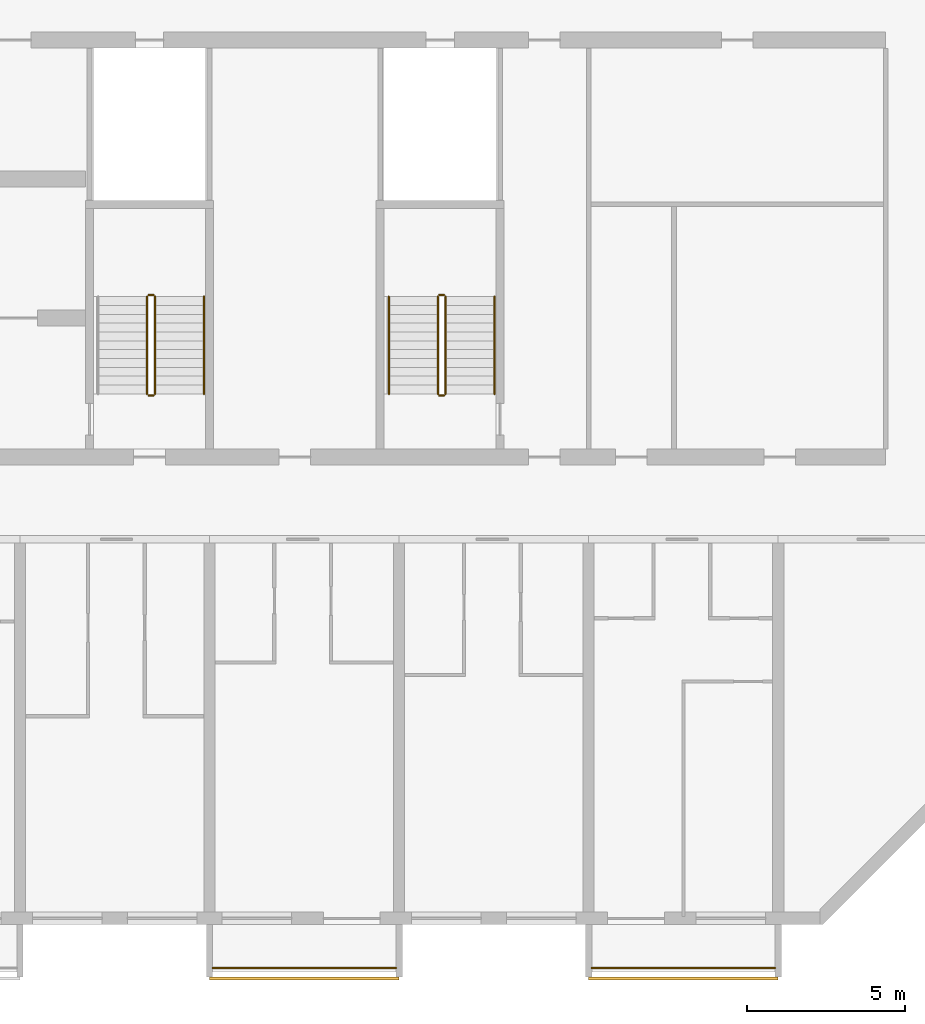
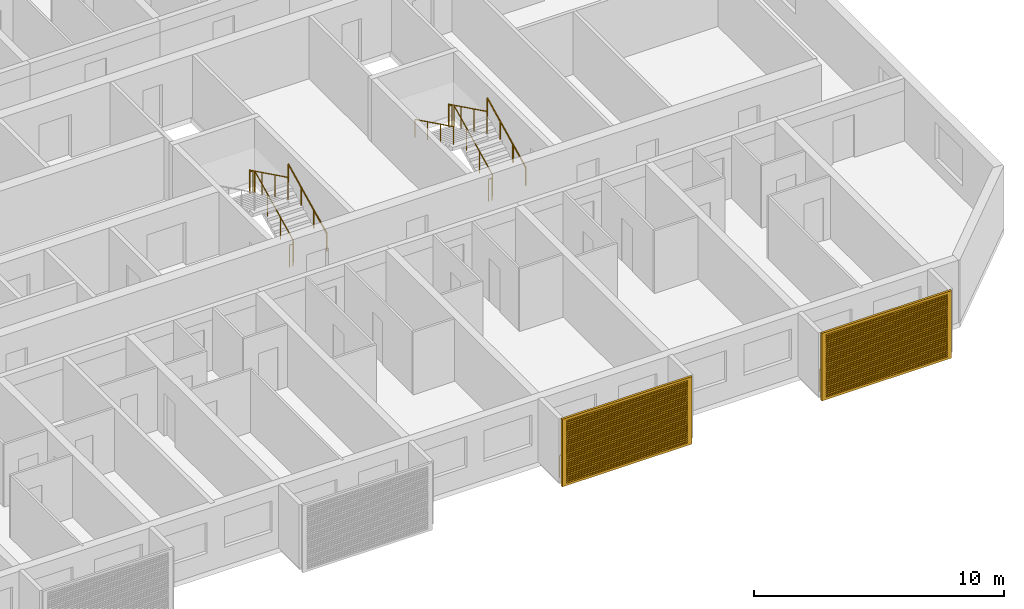
# One storey, part 24 of 26: 13 railings, 2 shading devices.
"""IFC4 building model written with IfcOpenShell, lengths in metres."""

from ifc_helpers import new_model, si_unit, direction, frame, origin, origin_2d, place, context, subcontext, project, spatial, polyline, circle, outline, extrude, source, transform, mapped, material, material_profile, profile_set, type_object, element, save


model = new_model("IFC4")

# Units and contexts
model_context = context("Model", 3, precision=1e-05, world=origin(), true_north=direction((0.0, 1.0)))
body_context = subcontext(model_context, "Body", "Model", "MODEL_VIEW")
ifc_project = project(units=[si_unit("LENGTHUNIT", "METRE"), si_unit("AREAUNIT", "SQUARE_METRE"), si_unit("VOLUMEUNIT", "CUBIC_METRE"), si_unit("PLANEANGLEUNIT", "RADIAN"), si_unit("MASSUNIT", "GRAM", prefix="KILO")], contexts=[model_context])

# Site, building, storey
site_placement = place(None, origin())
site = spatial("IfcSite", under=ifc_project, at=site_placement, CompositionType="ELEMENT")
building_placement = place(site_placement, origin())
building = spatial("IfcBuilding", under=site, at=building_placement, Name="Poui Terraces", CompositionType="ELEMENT")
storey_placement = place(building_placement, frame((0.0, 0.0, 96.0)))
storey = spatial("IfcBuildingStorey", under=building, at=storey_placement, Name="L26", CompositionType="ELEMENT", Elevation=96.0)

# Railings
ifc_material_1 = material(Name="Painted steel fretwork", Category="steel")
railing_type_1 = type_object("IfcRailingType", Name="BALCONY GUARD 1100", PredefinedType="GUARDRAIL", material=ifc_material_1)
for number, where, name in (
    (1, (72.10009765625, -1.570068359375, 0.0), "BALCONY GUARD"),
    (2, (84.10009765625, -1.570068359375, 0.0), "BALCONY GUARD"),
):
    element("IfcRailing", number, at=place(storey_placement, frame(where)), inside=storey, type_object=railing_type_1, Name=name, PredefinedType="GUARDRAIL", context=body_context, shape_type="SweptSolid", body=[
        extrude(circle(Radius=0.02392578125, at=origin_2d()), frame((0.0, 0.0, 1.076171875), z_axis=(1.0, 0.0, 0.0), x_axis=(0.0, 1.0, 0.0)), (0.0, 0.0, 1.0), 5.7998046875),
        extrude(circle(Radius=0.02099609375, at=origin_2d()), origin(), (0.0, 0.0, 1.0), 1.052001953125),
        extrude(circle(Radius=0.02099609375, at=origin_2d()), frame((0.966552734375, 0.0, 0.0)), (0.0, 0.0, 1.0), 1.052001953125),
        extrude(circle(Radius=0.02099609375, at=origin_2d()), frame((1.933349609375, 0.0, 0.0)), (0.0, 0.0, 1.0), 1.052001953125),
        extrude(circle(Radius=0.02099609375, at=origin_2d()), frame((2.89990234375, 0.0, 0.0)), (0.0, 0.0, 1.0), 1.052001953125),
        extrude(circle(Radius=0.02099609375, at=origin_2d()), frame((3.866455078125, 0.0, 0.0)), (0.0, 0.0, 1.0), 1.052001953125),
        extrude(circle(Radius=0.02099609375, at=origin_2d()), frame((4.833251953125, 0.0, 0.0)), (0.0, 0.0, 1.0), 1.052001953125),
        extrude(circle(Radius=0.02099609375, at=origin_2d()), frame((5.7998046875, 0.0, 0.0)), (0.0, 0.0, 1.0), 1.052001953125),
    ])
ifc_material_2 = material(Name="Galvanised steel balustrade", Category="steel")
railing_type_2 = type_object("IfcRailingType", Name="STAIR GUARD 1100", PredefinedType="GUARDRAIL", material=ifc_material_2)
railing_1_placement = place(storey_placement, frame((70.27490234375, 16.60009765625, 0.137451171875)))
element("IfcRailing", 3, at=railing_1_placement, inside=storey, type_object=railing_type_2, Name="L26 ST-CE stair guard 1", PredefinedType="GUARDRAIL", context=body_context, shape_type="SweptSolid", body=[
    extrude(circle(Radius=0.02392578125, at=origin_2d()), frame((0.0, 0.0, 1.076171875), z_axis=(0.0, 0.897606190399, 0.440798283751), x_axis=(-1.0, 0.0, 0.0)), (0.0, 0.0, 1.0), 3.43115234375),
    extrude(circle(Radius=0.02099609375, at=origin_2d()), origin(), (0.0, 0.0, 1.0), 1.052001953125),
    extrude(circle(Radius=0.02099609375, at=origin_2d()), frame((0.0, 1.026611328125, 0.504150390625)), (0.0, 0.0, 1.0), 1.052001953125),
    extrude(circle(Radius=0.02099609375, at=origin_2d()), frame((0.0, 2.05322265625, 1.00830078125)), (0.0, 0.0, 1.0), 1.052001953125),
    extrude(circle(Radius=0.02099609375, at=origin_2d()), frame((0.0, 3.079833984375, 1.512451171875)), (0.0, 0.0, 1.0), 1.052001953125),
])
railing_2_placement = place(storey_placement, frame((70.22509765625, 19.72998046875, 1.64990234375)))
element("IfcRailing", 4, at=railing_2_placement, inside=storey, type_object=railing_type_2, Name="L26 ST-CE stair guard 2", PredefinedType="GUARDRAIL", context=body_context, shape_type="SweptSolid", body=[
    extrude(circle(Radius=0.02392578125, at=origin_2d()), frame((0.0, 0.0, 1.076171875), z_axis=(-1.0, 0.0, 0.0), x_axis=(0.0, -1.0, 0.0)), (0.0, 0.0, 1.0), 0.150146484375),
    extrude(circle(Radius=0.02099609375, at=origin_2d()), origin(), (0.0, 0.0, 1.0), 1.052001953125),
    extrude(circle(Radius=0.02099609375, at=origin_2d()), frame((-0.150146484375, 0.0, 0.0)), (0.0, 0.0, 1.0), 1.052001953125),
])
railing_3_placement = place(storey_placement, frame((70.02490234375, 19.679931640625, 1.78759765625)))
element("IfcRailing", 5, at=railing_3_placement, inside=storey, type_object=railing_type_2, Name="L26 ST-CE stair guard 3", PredefinedType="GUARDRAIL", context=body_context, shape_type="SweptSolid", body=[
    extrude(circle(Radius=0.02392578125, at=origin_2d()), frame((0.0, 0.0, 1.076171875), z_axis=(0.0, -0.897606190399, 0.440798283751), x_axis=(1.0, 0.0, 0.0)), (0.0, 0.0, 1.0), 3.43115234375),
    extrude(circle(Radius=0.02099609375, at=origin_2d()), origin(), (0.0, 0.0, 1.0), 1.052001953125),
    extrude(circle(Radius=0.02099609375, at=origin_2d()), frame((0.0, -1.026611328125, 0.504150390625)), (0.0, 0.0, 1.0), 1.052001953125),
    extrude(circle(Radius=0.02099609375, at=origin_2d()), frame((0.0, -2.05322265625, 1.00830078125)), (0.0, 0.0, 1.0), 1.052001953125),
    extrude(circle(Radius=0.02099609375, at=origin_2d()), frame((0.0, -3.079833984375, 1.512451171875)), (0.0, 0.0, 1.0), 1.052001953125),
])
railing_4_placement = place(storey_placement, frame((70.22509765625, 16.550048828125, 0.0)))
element("IfcRailing", 6, at=railing_4_placement, inside=storey, type_object=railing_type_2, Name="L26 ST-CE stair guard 4", PredefinedType="GUARDRAIL", context=body_context, shape_type="SweptSolid", body=[
    extrude(circle(Radius=0.02392578125, at=origin_2d()), frame((0.0, 0.0, 1.076171875), z_axis=(-1.0, 0.0, 0.0), x_axis=(0.0, -1.0, 0.0)), (0.0, 0.0, 1.0), 0.150146484375),
    extrude(circle(Radius=0.02099609375, at=origin_2d()), origin(), (0.0, 0.0, 1.0), 1.052001953125),
    extrude(circle(Radius=0.02099609375, at=origin_2d()), frame((-0.150146484375, 0.0, 0.0)), (0.0, 0.0, 1.0), 1.052001953125),
])
railing_5_placement = place(storey_placement, frame((79.47509765625, 16.60009765625, 0.137451171875)))
element("IfcRailing", 7, at=railing_5_placement, inside=storey, type_object=railing_type_2, Name="L26 ST-E stair guard 1", PredefinedType="GUARDRAIL", context=body_context, shape_type="SweptSolid", body=[
    extrude(circle(Radius=0.02392578125, at=origin_2d()), frame((0.0, 0.0, 1.076171875), z_axis=(0.0, 0.897606190399, 0.440798283751), x_axis=(-1.0, 0.0, 0.0)), (0.0, 0.0, 1.0), 3.43115234375),
    extrude(circle(Radius=0.02099609375, at=origin_2d()), origin(), (0.0, 0.0, 1.0), 1.052001953125),
    extrude(circle(Radius=0.02099609375, at=origin_2d()), frame((0.0, 1.026611328125, 0.504150390625)), (0.0, 0.0, 1.0), 1.052001953125),
    extrude(circle(Radius=0.02099609375, at=origin_2d()), frame((0.0, 2.05322265625, 1.00830078125)), (0.0, 0.0, 1.0), 1.052001953125),
    extrude(circle(Radius=0.02099609375, at=origin_2d()), frame((0.0, 3.079833984375, 1.512451171875)), (0.0, 0.0, 1.0), 1.052001953125),
])
railing_6_placement = place(storey_placement, frame((79.425048828125, 19.72998046875, 1.64990234375)))
element("IfcRailing", 8, at=railing_6_placement, inside=storey, type_object=railing_type_2, Name="L26 ST-E stair guard 2", PredefinedType="GUARDRAIL", context=body_context, shape_type="SweptSolid", body=[
    extrude(circle(Radius=0.02392578125, at=origin_2d()), frame((0.0, 0.0, 1.076171875), z_axis=(-1.0, 0.0, 0.0), x_axis=(0.0, -1.0, 0.0)), (0.0, 0.0, 1.0), 0.150146484375),
    extrude(circle(Radius=0.02099609375, at=origin_2d()), origin(), (0.0, 0.0, 1.0), 1.052001953125),
    extrude(circle(Radius=0.02099609375, at=origin_2d()), frame((-0.150146484375, 0.0, 0.0)), (0.0, 0.0, 1.0), 1.052001953125),
])
railing_7_placement = place(storey_placement, frame((79.22509765625, 19.679931640625, 1.78759765625)))
element("IfcRailing", 9, at=railing_7_placement, inside=storey, type_object=railing_type_2, Name="L26 ST-E stair guard 3", PredefinedType="GUARDRAIL", context=body_context, shape_type="SweptSolid", body=[
    extrude(circle(Radius=0.02392578125, at=origin_2d()), frame((0.0, 0.0, 1.076171875), z_axis=(0.0, -0.897606190399, 0.440798283751), x_axis=(1.0, 0.0, 0.0)), (0.0, 0.0, 1.0), 3.43115234375),
    extrude(circle(Radius=0.02099609375, at=origin_2d()), origin(), (0.0, 0.0, 1.0), 1.052001953125),
    extrude(circle(Radius=0.02099609375, at=origin_2d()), frame((0.0, -1.026611328125, 0.504150390625)), (0.0, 0.0, 1.0), 1.052001953125),
    extrude(circle(Radius=0.02099609375, at=origin_2d()), frame((0.0, -2.05322265625, 1.00830078125)), (0.0, 0.0, 1.0), 1.052001953125),
    extrude(circle(Radius=0.02099609375, at=origin_2d()), frame((0.0, -3.079833984375, 1.512451171875)), (0.0, 0.0, 1.0), 1.052001953125),
])
railing_8_placement = place(storey_placement, frame((79.425048828125, 16.550048828125, 0.0)))
element("IfcRailing", 10, at=railing_8_placement, inside=storey, type_object=railing_type_2, Name="L26 ST-E stair guard 4", PredefinedType="GUARDRAIL", context=body_context, shape_type="SweptSolid", body=[
    extrude(circle(Radius=0.02392578125, at=origin_2d()), frame((0.0, 0.0, 1.076171875), z_axis=(-1.0, 0.0, 0.0), x_axis=(0.0, -1.0, 0.0)), (0.0, 0.0, 1.0), 0.150146484375),
    extrude(circle(Radius=0.02099609375, at=origin_2d()), origin(), (0.0, 0.0, 1.0), 1.052001953125),
    extrude(circle(Radius=0.02099609375, at=origin_2d()), frame((-0.150146484375, 0.0, 0.0)), (0.0, 0.0, 1.0), 1.052001953125),
])
ifc_material_3 = material(Name="Stainless steel handrail", Category="steel")
railing_type_3 = type_object("IfcRailingType", Name="STAIR HANDRAIL 900", PredefinedType="HANDRAIL", material=ifc_material_3)
for number, where, name in (
    (11, (71.824951171875, 16.60009765625, 0.137451171875), "L26 ST-CE stair handrail 1"),
    (12, (81.02490234375, 16.60009765625, 0.137451171875), "L26 ST-E stair handrail 1"),
):
    element("IfcRailing", number, at=place(storey_placement, frame(where)), inside=storey, type_object=railing_type_3, Name=name, PredefinedType="HANDRAIL", context=body_context, shape_type="SweptSolid", body=[
        extrude(circle(Radius=0.02392578125, at=origin_2d()), frame((0.0, 0.0, 0.8759765625), z_axis=(0.0, 0.897606190399, 0.440798283751), x_axis=(-1.0, 0.0, 0.0)), (0.0, 0.0, 1.0), 3.43115234375),
        extrude(circle(Radius=0.02099609375, at=origin_2d()), origin(), (0.0, 0.0, 1.0), 0.851806640625),
        extrude(circle(Radius=0.02099609375, at=origin_2d()), frame((0.0, 1.026611328125, 0.504150390625)), (0.0, 0.0, 1.0), 0.851806640625),
        extrude(circle(Radius=0.02099609375, at=origin_2d()), frame((0.0, 2.05322265625, 1.00830078125)), (0.0, 0.0, 1.0), 0.851806640625),
        extrude(circle(Radius=0.02099609375, at=origin_2d()), frame((0.0, 3.079833984375, 1.512451171875)), (0.0, 0.0, 1.0), 0.851806640625),
    ])
railing_9_placement = place(storey_placement, frame((77.675048828125, 19.679931640625, 1.78759765625)))
element("IfcRailing", 13, at=railing_9_placement, inside=storey, type_object=railing_type_3, Name="L26 ST-E stair handrail 2", PredefinedType="HANDRAIL", context=body_context, shape_type="SweptSolid", body=[
    extrude(circle(Radius=0.02392578125, at=origin_2d()), frame((0.0, 0.0, 0.8759765625), z_axis=(0.0, -0.897606190399, 0.440798283751), x_axis=(1.0, 0.0, 0.0)), (0.0, 0.0, 1.0), 3.43115234375),
    extrude(circle(Radius=0.02099609375, at=origin_2d()), origin(), (0.0, 0.0, 1.0), 0.851806640625),
    extrude(circle(Radius=0.02099609375, at=origin_2d()), frame((0.0, -1.026611328125, 0.504150390625)), (0.0, 0.0, 1.0), 0.851806640625),
    extrude(circle(Radius=0.02099609375, at=origin_2d()), frame((0.0, -2.05322265625, 1.00830078125)), (0.0, 0.0, 1.0), 0.851806640625),
    extrude(circle(Radius=0.02099609375, at=origin_2d()), frame((0.0, -3.079833984375, 1.512451171875)), (0.0, 0.0, 1.0), 0.851806640625),
])

# Shading devices
ifc_material_4 = material(Name="Aluminium louvre", Category="aluminium")
ifc_material_profile = material_profile(ifc_material_4, outline(polyline([(-3.0, -1.64990234375), (3.0, -1.64990234375), (3.0, 1.64990234375), (-3.0, 1.64990234375), (-3.0, -1.64990234375)]), holes=[polyline([(-2.800048828125, -1.530029296875), (2.800048828125, -1.530029296875), (2.800048828125, -1.469970703125), (-2.800048828125, -1.469970703125), (-2.800048828125, -1.530029296875)]), polyline([(-2.800048828125, -1.429931640625), (2.800048828125, -1.429931640625), (2.800048828125, -1.3701171875), (-2.800048828125, -1.3701171875), (-2.800048828125, -1.429931640625)]), polyline([(-2.800048828125, -1.330078125), (2.800048828125, -1.330078125), (2.800048828125, -1.27001953125), (-2.800048828125, -1.27001953125), (-2.800048828125, -1.330078125)]), polyline([(-2.800048828125, -1.22998046875), (2.800048828125, -1.22998046875), (2.800048828125, -1.169921875), (-2.800048828125, -1.169921875), (-2.800048828125, -1.22998046875)]), polyline([(-2.800048828125, -1.1298828125), (2.800048828125, -1.1298828125), (2.800048828125, -1.070068359375), (-2.800048828125, -1.070068359375), (-2.800048828125, -1.1298828125)]), polyline([(-2.800048828125, -1.030029296875), (2.800048828125, -1.030029296875), (2.800048828125, -0.969970703125), (-2.800048828125, -0.969970703125), (-2.800048828125, -1.030029296875)]), polyline([(-2.800048828125, -0.929931640625), (2.800048828125, -0.929931640625), (2.800048828125, -0.8701171875), (-2.800048828125, -0.8701171875), (-2.800048828125, -0.929931640625)]), polyline([(-2.800048828125, -0.830078125), (2.800048828125, -0.830078125), (2.800048828125, -0.77001953125), (-2.800048828125, -0.77001953125), (-2.800048828125, -0.830078125)]), polyline([(-2.800048828125, -0.72998046875), (2.800048828125, -0.72998046875), (2.800048828125, -0.669921875), (-2.800048828125, -0.669921875), (-2.800048828125, -0.72998046875)]), polyline([(-2.800048828125, -0.6298828125), (2.800048828125, -0.6298828125), (2.800048828125, -0.570068359375), (-2.800048828125, -0.570068359375), (-2.800048828125, -0.6298828125)]), polyline([(-2.800048828125, -0.530029296875), (2.800048828125, -0.530029296875), (2.800048828125, -0.469970703125), (-2.800048828125, -0.469970703125), (-2.800048828125, -0.530029296875)]), polyline([(-2.800048828125, -0.429931640625), (2.800048828125, -0.429931640625), (2.800048828125, -0.3701171875), (-2.800048828125, -0.3701171875), (-2.800048828125, -0.429931640625)]), polyline([(-2.800048828125, -0.330078125), (2.800048828125, -0.330078125), (2.800048828125, -0.27001953125), (-2.800048828125, -0.27001953125), (-2.800048828125, -0.330078125)]), polyline([(-2.800048828125, -0.22998046875), (2.800048828125, -0.22998046875), (2.800048828125, -0.169921875), (-2.800048828125, -0.169921875), (-2.800048828125, -0.22998046875)]), polyline([(-2.800048828125, -0.1298828125), (2.800048828125, -0.1298828125), (2.800048828125, -0.070068359375), (-2.800048828125, -0.070068359375), (-2.800048828125, -0.1298828125)]), polyline([(-2.800048828125, -0.030029296875), (2.800048828125, -0.030029296875), (2.800048828125, 0.030029296875), (-2.800048828125, 0.030029296875), (-2.800048828125, -0.030029296875)]), polyline([(-2.800048828125, 0.070068359375), (2.800048828125, 0.070068359375), (2.800048828125, 0.1298828125), (-2.800048828125, 0.1298828125), (-2.800048828125, 0.070068359375)]), polyline([(-2.800048828125, 0.169921875), (2.800048828125, 0.169921875), (2.800048828125, 0.22998046875), (-2.800048828125, 0.22998046875), (-2.800048828125, 0.169921875)]), polyline([(-2.800048828125, 0.27001953125), (2.800048828125, 0.27001953125), (2.800048828125, 0.330078125), (-2.800048828125, 0.330078125), (-2.800048828125, 0.27001953125)]), polyline([(-2.800048828125, 0.3701171875), (2.800048828125, 0.3701171875), (2.800048828125, 0.429931640625), (-2.800048828125, 0.429931640625), (-2.800048828125, 0.3701171875)]), polyline([(-2.800048828125, 0.469970703125), (2.800048828125, 0.469970703125), (2.800048828125, 0.530029296875), (-2.800048828125, 0.530029296875), (-2.800048828125, 0.469970703125)]), polyline([(-2.800048828125, 0.570068359375), (2.800048828125, 0.570068359375), (2.800048828125, 0.6298828125), (-2.800048828125, 0.6298828125), (-2.800048828125, 0.570068359375)]), polyline([(-2.800048828125, 0.669921875), (2.800048828125, 0.669921875), (2.800048828125, 0.72998046875), (-2.800048828125, 0.72998046875), (-2.800048828125, 0.669921875)]), polyline([(-2.800048828125, 0.77001953125), (2.800048828125, 0.77001953125), (2.800048828125, 0.830078125), (-2.800048828125, 0.830078125), (-2.800048828125, 0.77001953125)]), polyline([(-2.800048828125, 0.8701171875), (2.800048828125, 0.8701171875), (2.800048828125, 0.929931640625), (-2.800048828125, 0.929931640625), (-2.800048828125, 0.8701171875)]), polyline([(-2.800048828125, 0.969970703125), (2.800048828125, 0.969970703125), (2.800048828125, 1.030029296875), (-2.800048828125, 1.030029296875), (-2.800048828125, 0.969970703125)]), polyline([(-2.800048828125, 1.070068359375), (2.800048828125, 1.070068359375), (2.800048828125, 1.1298828125), (-2.800048828125, 1.1298828125), (-2.800048828125, 1.070068359375)]), polyline([(-2.800048828125, 1.169921875), (2.800048828125, 1.169921875), (2.800048828125, 1.22998046875), (-2.800048828125, 1.22998046875), (-2.800048828125, 1.169921875)]), polyline([(-2.800048828125, 1.27001953125), (2.800048828125, 1.27001953125), (2.800048828125, 1.330078125), (-2.800048828125, 1.330078125), (-2.800048828125, 1.27001953125)]), polyline([(-2.800048828125, 1.3701171875), (2.800048828125, 1.3701171875), (2.800048828125, 1.429931640625), (-2.800048828125, 1.429931640625), (-2.800048828125, 1.3701171875)]), polyline([(-2.800048828125, 1.469970703125), (2.800048828125, 1.469970703125), (2.800048828125, 1.530029296875), (-2.800048828125, 1.530029296875), (-2.800048828125, 1.469970703125)])]), Name="JALOUSIE LOUVRE SHUTTER 6000X3300")
ifc_profile_set = profile_set([ifc_material_profile], Name="Aluminium louvre")
shading_device_type = type_object("IfcShadingDeviceType", Name="JALOUSIE LOUVRE SHUTTER 6000X3300", PredefinedType="JALOUSIE", material=ifc_profile_set)
shared_shape = source(origin(), body_context, "Body", "SweptSolid", [
    extrude(outline(polyline([(-3.0, -1.64990234375), (3.0, -1.64990234375), (3.0, 1.64990234375), (-3.0, 1.64990234375), (-3.0, -1.64990234375)]), holes=[polyline([(-2.800048828125, -1.530029296875), (2.800048828125, -1.530029296875), (2.800048828125, -1.469970703125), (-2.800048828125, -1.469970703125), (-2.800048828125, -1.530029296875)]), polyline([(-2.800048828125, -1.429931640625), (2.800048828125, -1.429931640625), (2.800048828125, -1.3701171875), (-2.800048828125, -1.3701171875), (-2.800048828125, -1.429931640625)]), polyline([(-2.800048828125, -1.330078125), (2.800048828125, -1.330078125), (2.800048828125, -1.27001953125), (-2.800048828125, -1.27001953125), (-2.800048828125, -1.330078125)]), polyline([(-2.800048828125, -1.22998046875), (2.800048828125, -1.22998046875), (2.800048828125, -1.169921875), (-2.800048828125, -1.169921875), (-2.800048828125, -1.22998046875)]), polyline([(-2.800048828125, -1.1298828125), (2.800048828125, -1.1298828125), (2.800048828125, -1.070068359375), (-2.800048828125, -1.070068359375), (-2.800048828125, -1.1298828125)]), polyline([(-2.800048828125, -1.030029296875), (2.800048828125, -1.030029296875), (2.800048828125, -0.969970703125), (-2.800048828125, -0.969970703125), (-2.800048828125, -1.030029296875)]), polyline([(-2.800048828125, -0.929931640625), (2.800048828125, -0.929931640625), (2.800048828125, -0.8701171875), (-2.800048828125, -0.8701171875), (-2.800048828125, -0.929931640625)]), polyline([(-2.800048828125, -0.830078125), (2.800048828125, -0.830078125), (2.800048828125, -0.77001953125), (-2.800048828125, -0.77001953125), (-2.800048828125, -0.830078125)]), polyline([(-2.800048828125, -0.72998046875), (2.800048828125, -0.72998046875), (2.800048828125, -0.669921875), (-2.800048828125, -0.669921875), (-2.800048828125, -0.72998046875)]), polyline([(-2.800048828125, -0.6298828125), (2.800048828125, -0.6298828125), (2.800048828125, -0.570068359375), (-2.800048828125, -0.570068359375), (-2.800048828125, -0.6298828125)]), polyline([(-2.800048828125, -0.530029296875), (2.800048828125, -0.530029296875), (2.800048828125, -0.469970703125), (-2.800048828125, -0.469970703125), (-2.800048828125, -0.530029296875)]), polyline([(-2.800048828125, -0.429931640625), (2.800048828125, -0.429931640625), (2.800048828125, -0.3701171875), (-2.800048828125, -0.3701171875), (-2.800048828125, -0.429931640625)]), polyline([(-2.800048828125, -0.330078125), (2.800048828125, -0.330078125), (2.800048828125, -0.27001953125), (-2.800048828125, -0.27001953125), (-2.800048828125, -0.330078125)]), polyline([(-2.800048828125, -0.22998046875), (2.800048828125, -0.22998046875), (2.800048828125, -0.169921875), (-2.800048828125, -0.169921875), (-2.800048828125, -0.22998046875)]), polyline([(-2.800048828125, -0.1298828125), (2.800048828125, -0.1298828125), (2.800048828125, -0.070068359375), (-2.800048828125, -0.070068359375), (-2.800048828125, -0.1298828125)]), polyline([(-2.800048828125, -0.030029296875), (2.800048828125, -0.030029296875), (2.800048828125, 0.030029296875), (-2.800048828125, 0.030029296875), (-2.800048828125, -0.030029296875)]), polyline([(-2.800048828125, 0.070068359375), (2.800048828125, 0.070068359375), (2.800048828125, 0.1298828125), (-2.800048828125, 0.1298828125), (-2.800048828125, 0.070068359375)]), polyline([(-2.800048828125, 0.169921875), (2.800048828125, 0.169921875), (2.800048828125, 0.22998046875), (-2.800048828125, 0.22998046875), (-2.800048828125, 0.169921875)]), polyline([(-2.800048828125, 0.27001953125), (2.800048828125, 0.27001953125), (2.800048828125, 0.330078125), (-2.800048828125, 0.330078125), (-2.800048828125, 0.27001953125)]), polyline([(-2.800048828125, 0.3701171875), (2.800048828125, 0.3701171875), (2.800048828125, 0.429931640625), (-2.800048828125, 0.429931640625), (-2.800048828125, 0.3701171875)]), polyline([(-2.800048828125, 0.469970703125), (2.800048828125, 0.469970703125), (2.800048828125, 0.530029296875), (-2.800048828125, 0.530029296875), (-2.800048828125, 0.469970703125)]), polyline([(-2.800048828125, 0.570068359375), (2.800048828125, 0.570068359375), (2.800048828125, 0.6298828125), (-2.800048828125, 0.6298828125), (-2.800048828125, 0.570068359375)]), polyline([(-2.800048828125, 0.669921875), (2.800048828125, 0.669921875), (2.800048828125, 0.72998046875), (-2.800048828125, 0.72998046875), (-2.800048828125, 0.669921875)]), polyline([(-2.800048828125, 0.77001953125), (2.800048828125, 0.77001953125), (2.800048828125, 0.830078125), (-2.800048828125, 0.830078125), (-2.800048828125, 0.77001953125)]), polyline([(-2.800048828125, 0.8701171875), (2.800048828125, 0.8701171875), (2.800048828125, 0.929931640625), (-2.800048828125, 0.929931640625), (-2.800048828125, 0.8701171875)]), polyline([(-2.800048828125, 0.969970703125), (2.800048828125, 0.969970703125), (2.800048828125, 1.030029296875), (-2.800048828125, 1.030029296875), (-2.800048828125, 0.969970703125)]), polyline([(-2.800048828125, 1.070068359375), (2.800048828125, 1.070068359375), (2.800048828125, 1.1298828125), (-2.800048828125, 1.1298828125), (-2.800048828125, 1.070068359375)]), polyline([(-2.800048828125, 1.169921875), (2.800048828125, 1.169921875), (2.800048828125, 1.22998046875), (-2.800048828125, 1.22998046875), (-2.800048828125, 1.169921875)]), polyline([(-2.800048828125, 1.27001953125), (2.800048828125, 1.27001953125), (2.800048828125, 1.330078125), (-2.800048828125, 1.330078125), (-2.800048828125, 1.27001953125)]), polyline([(-2.800048828125, 1.3701171875), (2.800048828125, 1.3701171875), (2.800048828125, 1.429931640625), (-2.800048828125, 1.429931640625), (-2.800048828125, 1.3701171875)]), polyline([(-2.800048828125, 1.469970703125), (2.800048828125, 1.469970703125), (2.800048828125, 1.530029296875), (-2.800048828125, 1.530029296875), (-2.800048828125, 1.469970703125)])]), origin(), (0.0, 0.0, 1.0), 0.099853515625),
])
for number, where, z_axis, x_axis, name in (
    (14, (75.0, -1.85009765625, 1.449951171875), (0.0, -1.0, 0.0), (1.0, 0.0, 0.0), "JALOUSIE LOUVRE SHUTTER"),
    (15, (87.0, -1.85009765625, 1.449951171875), (0.0, -1.0, 0.0), (1.0, 0.0, 0.0), "JALOUSIE LOUVRE SHUTTER"),
):
    element("IfcShadingDevice", number, at=place(storey_placement, frame(where, z_axis=z_axis, x_axis=x_axis)), inside=storey, type_object=shading_device_type, Name=name, PredefinedType="JALOUSIE", context=body_context, shape_type="MappedRepresentation", body=[
        mapped(shared_shape, transform((0.0, 0.0, 0.0))),
    ])

save(model, "model.ifc")
